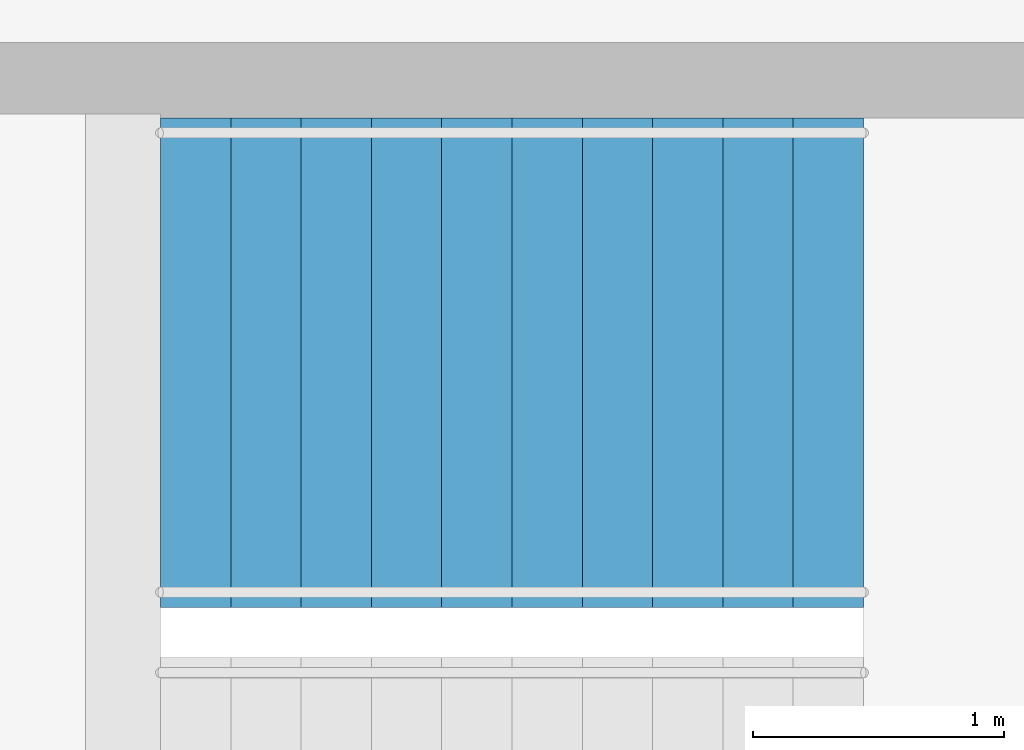
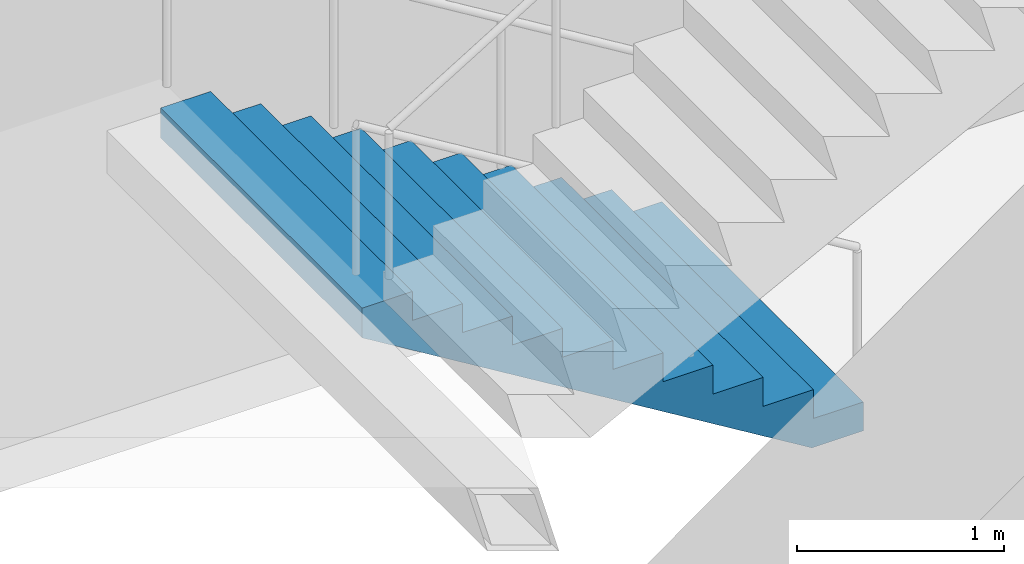
# One storey, part 23 of 24: 1 stair flight, 1 element without a shape of its own.
"""IFC4 building model written with IfcOpenShell, lengths in metres."""

from ifc_helpers import new_model, si_unit, direction, frame, origin, place, context, subcontext, project, spatial, triangles, material, type_object, element, aggregate, save


model = new_model("IFC4")

# Units and contexts
model_context = context("Model", 3, precision=1e-05, world=origin(), true_north=direction((0.0, 1.0)))
body_context = subcontext(model_context, "Body", "Model", "MODEL_VIEW")
ifc_project = project(units=[si_unit("LENGTHUNIT", "METRE"), si_unit("AREAUNIT", "SQUARE_METRE"), si_unit("VOLUMEUNIT", "CUBIC_METRE"), si_unit("PLANEANGLEUNIT", "RADIAN"), si_unit("MASSUNIT", "GRAM", prefix="KILO")], contexts=[model_context])

# Site, building, storey
site_placement = place(None, origin())
site = spatial("IfcSite", under=ifc_project, at=site_placement, CompositionType="ELEMENT")
building_placement = place(site_placement, origin())
building = spatial("IfcBuilding", under=site, at=building_placement, Name="Orbita Commons", CompositionType="ELEMENT")
storey_placement = place(building_placement, frame((0.0, 0.0, 235.300048828125)))
storey = spatial("IfcBuildingStorey", under=building, at=storey_placement, Name="L58", CompositionType="ELEMENT", Elevation=235.300048828125)

# Stair, stair flight
ifc_material_1 = material(Name="Precast concrete C40/50", Category="concrete")
stair_type = type_object("IfcStairType", Name="Exit stair S2 2 flights 11 risers 170", PredefinedType="HALF_TURN_STAIR", material=ifc_material_1)
stair_placement = place(storey_placement, origin())
stair = element("IfcStair", 1, at=stair_placement, inside=storey, type_object=stair_type, Name="Exit stair S2 L58", PredefinedType="HALF_TURN_STAIR")
ifc_material_2 = material(Name="Precast concrete C40/50", Category="concrete")
stair_flight_type = type_object("IfcStairFlightType", Name="Stair flight 11 risers 170 x 280", PredefinedType="STRAIGHT", material=ifc_material_2)
stair_flight_placement = place(storey_placement, frame((63.550048828125, 29.27490234375, 0.0), z_axis=(0.0, 0.0, 1.0), x_axis=(-1.0, 0.0, 0.0)))
stair_flight = element("IfcStairFlight", 2, at=stair_flight_placement, type_object=stair_flight_type, Name="S2 flight 1", NumberOfRisers=11, NumberOfTreads=10, PredefinedType="STRAIGHT", RiserHeight=0.170454545, TreadLength=0.28, context=body_context, shape_type="Tessellation", body=[
    triangles([(0.0, 0.974976, 0.0), (0.0, 0.974976, 0.021307), (0.0, 0.81248, 0.021307), (0.0, 0.81248, 0.0), (0.0, 0.649984, 0.021307), (0.0, 0.649984, 0.0), (0.0, 0.487488, 0.021307), (0.0, 0.487488, 0.0), (0.0, 0.324992, 0.021307), (0.0, 0.324992, 0.0), (0.0, 0.162496, 0.021307), (0.0, 0.162496, 0.0), (0.0, 0.0, 0.021307), (0.0, 0.0, 0.0), (0.0, -0.162496, 0.021307), (0.0, -0.162496, 0.0), (0.0, -0.324992, 0.021307), (0.0, -0.324992, 0.0), (0.0, -0.487488, 0.021307), (0.0, -0.487488, 0.0), (0.0, -0.649984, 0.021307), (0.0, -0.649984, 0.0), (0.0, -0.81248, 0.021307), (0.0, -0.81248, 0.0), (0.0, -0.974976, 0.021307), (0.0, -0.974976, 0.0), (0.0, 0.974976, 0.042614), (0.0, 0.81248, 0.042614), (0.0, 0.649984, 0.042614), (0.0, 0.487488, 0.042614), (0.0, 0.324992, 0.042614), (0.0, 0.162496, 0.042614), (0.0, 0.0, 0.042614), (0.0, -0.162496, 0.042614), (0.0, -0.324992, 0.042614), (0.0, -0.487488, 0.042614), (0.0, -0.649984, 0.042614), (0.0, -0.81248, 0.042614), (0.0, -0.974976, 0.042614), (0.0, 0.974976, 0.06392), (0.0, 0.81248, 0.06392), (0.0, 0.649984, 0.06392), (0.0, 0.487488, 0.06392), (0.0, 0.324992, 0.06392), (0.0, 0.162496, 0.06392), (0.0, 0.0, 0.06392), (0.0, -0.162496, 0.06392), (0.0, -0.324992, 0.06392), (0.0, -0.487488, 0.06392), (0.0, -0.649984, 0.06392), (0.0, -0.81248, 0.06392), (0.0, -0.974976, 0.06392), (0.0, 0.974976, 0.085227), (0.0, 0.81248, 0.085227), (0.0, 0.649984, 0.085227), (0.0, 0.487488, 0.085227), (0.0, 0.324992, 0.085227), (0.0, 0.162496, 0.085227), (0.0, 0.0, 0.085227), (0.0, -0.162496, 0.085227), (0.0, -0.324992, 0.085227), (0.0, -0.487488, 0.085227), (0.0, -0.649984, 0.085227), (0.0, -0.81248, 0.085227), (0.0, -0.974976, 0.085227), (0.0, 0.974976, 0.106534), (0.0, 0.81248, 0.106534), (0.0, 0.649984, 0.106534), (0.0, 0.487488, 0.106534), (0.0, 0.324992, 0.106534), (0.0, 0.162496, 0.106534), (0.0, 0.0, 0.106534), (0.0, -0.162496, 0.106534), (0.0, -0.324992, 0.106534), (0.0, -0.487488, 0.106534), (0.0, -0.649984, 0.106534), (0.0, -0.81248, 0.106534), (0.0, -0.974976, 0.106534), (0.0, 0.974976, 0.127841), (0.0, 0.81248, 0.127841), (0.0, 0.649984, 0.127841), (0.0, 0.487488, 0.127841), (0.0, 0.324992, 0.127841), (0.0, 0.162496, 0.127841), (0.0, 0.0, 0.127841), (0.0, -0.162496, 0.127841), (0.0, -0.324992, 0.127841), (0.0, -0.487488, 0.127841), (0.0, -0.649984, 0.127841), (0.0, -0.81248, 0.127841), (0.0, -0.974976, 0.127841), (0.0, 0.974976, 0.149148), (0.0, 0.81248, 0.149148), (0.0, 0.649984, 0.149148), (0.0, 0.487488, 0.149148), (0.0, 0.324992, 0.149148), (0.0, 0.162496, 0.149148), (0.0, 0.0, 0.149148), (0.0, -0.162496, 0.149148), (0.0, -0.324992, 0.149148), (0.0, -0.487488, 0.149148), (0.0, -0.649984, 0.149148), (0.0, -0.81248, 0.149148), (0.0, -0.974976, 0.149148), (0.0, 0.974976, 0.170455), (0.0, 0.81248, 0.170455), (0.0, 0.649984, 0.170455), (0.0, 0.487488, 0.170455), (0.0, 0.324992, 0.170455), (0.0, 0.162496, 0.170455), (0.0, 0.0, 0.170455), (0.0, -0.162496, 0.170455), (0.0, -0.324992, 0.170455), (0.0, -0.487488, 0.170455), (0.0, -0.649984, 0.170455), (0.0, -0.81248, 0.170455), (0.0, -0.974976, 0.170455), (0.28, 0.974976, 0.170455), (0.28, 0.81248, 0.170455), (0.28, 0.649984, 0.170455), (0.28, 0.487488, 0.170455), (0.28, 0.324992, 0.170455), (0.28, 0.162496, 0.170455), (0.28, 0.0, 0.170455), (0.28, -0.162496, 0.170455), (0.28, -0.324992, 0.170455), (0.28, -0.487488, 0.170455), (0.28, -0.649984, 0.170455), (0.28, -0.81248, 0.170455), (0.28, -0.974976, 0.170455), (0.28, 0.974976, 0.340909), (0.28, 0.81248, 0.340909), (0.28, 0.649984, 0.340909), (0.28, 0.487488, 0.340909), (0.28, 0.324992, 0.340909), (0.28, 0.162496, 0.340909), (0.28, 0.0, 0.340909), (0.28, -0.162496, 0.340909), (0.28, -0.324992, 0.340909), (0.28, -0.487488, 0.340909), (0.28, -0.649984, 0.340909), (0.28, -0.81248, 0.340909), (0.28, -0.974976, 0.340909), (0.56, 0.974976, 0.340909), (0.56, 0.81248, 0.340909), (0.56, 0.649984, 0.340909), (0.56, 0.487488, 0.340909), (0.56, 0.324992, 0.340909), (0.56, 0.162496, 0.340909), (0.56, 0.0, 0.340909), (0.56, -0.162496, 0.340909), (0.56, -0.324992, 0.340909), (0.56, -0.487488, 0.340909), (0.56, -0.649984, 0.340909), (0.56, -0.81248, 0.340909), (0.56, -0.974976, 0.340909), (0.56, 0.974976, 0.511364), (0.56, 0.81248, 0.511364), (0.56, 0.649984, 0.511364), (0.56, 0.487488, 0.511364), (0.56, 0.324992, 0.511364), (0.56, 0.162496, 0.511364), (0.56, 0.0, 0.511364), (0.56, -0.162496, 0.511364), (0.56, -0.324992, 0.511364), (0.56, -0.487488, 0.511364), (0.56, -0.649984, 0.511364), (0.56, -0.81248, 0.511364), (0.56, -0.974976, 0.511364), (0.84, 0.974976, 0.511364), (0.84, 0.81248, 0.511364), (0.84, 0.649984, 0.511364), (0.84, 0.487488, 0.511364), (0.84, 0.324992, 0.511364), (0.84, 0.162496, 0.511364), (0.84, 0.0, 0.511364), (0.84, -0.162496, 0.511364), (0.84, -0.324992, 0.511364), (0.84, -0.487488, 0.511364), (0.84, -0.649984, 0.511364), (0.84, -0.81248, 0.511364), (0.84, -0.974976, 0.511364), (0.84, 0.974976, 0.681818), (0.84, 0.81248, 0.681818), (0.84, 0.649984, 0.681818), (0.84, 0.487488, 0.681818), (0.84, 0.324992, 0.681818), (0.84, 0.162496, 0.681818), (0.84, 0.0, 0.681818), (0.84, -0.162496, 0.681818), (0.84, -0.324992, 0.681818), (0.84, -0.487488, 0.681818), (0.84, -0.649984, 0.681818), (0.84, -0.81248, 0.681818), (0.84, -0.974976, 0.681818), (1.12, 0.974976, 0.681818), (1.12, 0.81248, 0.681818), (1.12, 0.649984, 0.681818), (1.12, 0.487488, 0.681818), (1.12, 0.324992, 0.681818), (1.12, 0.162496, 0.681818), (1.12, 0.0, 0.681818), (1.12, -0.162496, 0.681818), (1.12, -0.324992, 0.681818), (1.12, -0.487488, 0.681818), (1.12, -0.649984, 0.681818), (1.12, -0.81248, 0.681818), (1.12, -0.974976, 0.681818), (1.12, 0.974976, 0.852273), (1.12, 0.81248, 0.852273), (1.12, 0.649984, 0.852273), (1.12, 0.487488, 0.852273), (1.12, 0.324992, 0.852273), (1.12, 0.162496, 0.852273), (1.12, 0.0, 0.852273), (1.12, -0.162496, 0.852273), (1.12, -0.324992, 0.852273), (1.12, -0.487488, 0.852273), (1.12, -0.649984, 0.852273), (1.12, -0.81248, 0.852273), (1.12, -0.974976, 0.852273), (1.4, 0.974976, 0.852273), (1.4, 0.81248, 0.852273), (1.4, 0.649984, 0.852273), (1.4, 0.487488, 0.852273), (1.4, 0.324992, 0.852273), (1.4, 0.162496, 0.852273), (1.4, 0.0, 0.852273), (1.4, -0.162496, 0.852273), (1.4, -0.324992, 0.852273), (1.4, -0.487488, 0.852273), (1.4, -0.649984, 0.852273), (1.4, -0.81248, 0.852273), (1.4, -0.974976, 0.852273), (1.4, 0.974976, 1.022727), (1.4, 0.81248, 1.022727), (1.4, 0.649984, 1.022727), (1.4, 0.487488, 1.022727), (1.4, 0.324992, 1.022727), (1.4, 0.162496, 1.022727), (1.4, 0.0, 1.022727), (1.4, -0.162496, 1.022727), (1.4, -0.324992, 1.022727), (1.4, -0.487488, 1.022727), (1.4, -0.649984, 1.022727), (1.4, -0.81248, 1.022727), (1.4, -0.974976, 1.022727), (1.68, 0.974976, 1.022727), (1.68, 0.81248, 1.022727), (1.68, 0.649984, 1.022727), (1.68, 0.487488, 1.022727), (1.68, 0.324992, 1.022727), (1.68, 0.162496, 1.022727), (1.68, 0.0, 1.022727), (1.68, -0.162496, 1.022727), (1.68, -0.324992, 1.022727), (1.68, -0.487488, 1.022727), (1.68, -0.649984, 1.022727), (1.68, -0.81248, 1.022727), (1.68, -0.974976, 1.022727), (1.68, 0.974976, 1.193182), (1.68, 0.81248, 1.193182), (1.68, 0.649984, 1.193182), (1.68, 0.487488, 1.193182), (1.68, 0.324992, 1.193182), (1.68, 0.162496, 1.193182), (1.68, 0.0, 1.193182), (1.68, -0.162496, 1.193182), (1.68, -0.324992, 1.193182), (1.68, -0.487488, 1.193182), (1.68, -0.649984, 1.193182), (1.68, -0.81248, 1.193182), (1.68, -0.974976, 1.193182), (1.96, 0.974976, 1.193182), (1.96, 0.81248, 1.193182), (1.96, 0.649984, 1.193182), (1.96, 0.487488, 1.193182), (1.96, 0.324992, 1.193182), (1.96, 0.162496, 1.193182), (1.96, 0.0, 1.193182), (1.96, -0.162496, 1.193182), (1.96, -0.324992, 1.193182), (1.96, -0.487488, 1.193182), (1.96, -0.649984, 1.193182), (1.96, -0.81248, 1.193182), (1.96, -0.974976, 1.193182), (1.96, 0.974976, 1.363636), (1.96, 0.81248, 1.363636), (1.96, 0.649984, 1.363636), (1.96, 0.487488, 1.363636), (1.96, 0.324992, 1.363636), (1.96, 0.162496, 1.363636), (1.96, 0.0, 1.363636), (1.96, -0.162496, 1.363636), (1.96, -0.324992, 1.363636), (1.96, -0.487488, 1.363636), (1.96, -0.649984, 1.363636), (1.96, -0.81248, 1.363636), (1.96, -0.974976, 1.363636), (2.24, 0.974976, 1.363636), (2.24, 0.81248, 1.363636), (2.24, 0.649984, 1.363636), (2.24, 0.487488, 1.363636), (2.24, 0.324992, 1.363636), (2.24, 0.162496, 1.363636), (2.24, 0.0, 1.363636), (2.24, -0.162496, 1.363636), (2.24, -0.324992, 1.363636), (2.24, -0.487488, 1.363636), (2.24, -0.649984, 1.363636), (2.24, -0.81248, 1.363636), (2.24, -0.974976, 1.363636), (2.24, 0.974976, 1.534091), (2.24, 0.81248, 1.534091), (2.24, 0.649984, 1.534091), (2.24, 0.487488, 1.534091), (2.24, 0.324992, 1.534091), (2.24, 0.162496, 1.534091), (2.24, 0.0, 1.534091), (2.24, -0.162496, 1.534091), (2.24, -0.324992, 1.534091), (2.24, -0.487488, 1.534091), (2.24, -0.649984, 1.534091), (2.24, -0.81248, 1.534091), (2.24, -0.974976, 1.534091), (2.52, 0.974976, 1.534091), (2.52, 0.81248, 1.534091), (2.52, 0.649984, 1.534091), (2.52, 0.487488, 1.534091), (2.52, 0.324992, 1.534091), (2.52, 0.162496, 1.534091), (2.52, 0.0, 1.534091), (2.52, -0.162496, 1.534091), (2.52, -0.324992, 1.534091), (2.52, -0.487488, 1.534091), (2.52, -0.649984, 1.534091), (2.52, -0.81248, 1.534091), (2.52, -0.974976, 1.534091), (2.52, 0.974976, 1.704545), (2.52, 0.81248, 1.704545), (2.52, 0.649984, 1.704545), (2.52, 0.487488, 1.704545), (2.52, 0.324992, 1.704545), (2.52, 0.162496, 1.704545), (2.52, 0.0, 1.704545), (2.52, -0.162496, 1.704545), (2.52, -0.324992, 1.704545), (2.52, -0.487488, 1.704545), (2.52, -0.649984, 1.704545), (2.52, -0.81248, 1.704545), (2.52, -0.974976, 1.704545), (2.8, 0.974976, 1.704545), (2.8, 0.81248, 1.704545), (2.8, 0.649984, 1.704545), (2.8, 0.487488, 1.704545), (2.8, 0.324992, 1.704545), (2.8, 0.162496, 1.704545), (2.8, 0.0, 1.704545), (2.8, -0.162496, 1.704545), (2.8, -0.324992, 1.704545), (2.8, -0.487488, 1.704545), (2.8, -0.649984, 1.704545), (2.8, -0.81248, 1.704545), (2.8, -0.974976, 1.704545), (2.8, 0.974976, 1.682609), (2.8, 0.81248, 1.682609), (2.8, 0.649984, 1.682609), (2.8, 0.487488, 1.682609), (2.8, 0.324992, 1.682609), (2.8, 0.162496, 1.682609), (2.8, 0.0, 1.682609), (2.8, -0.162496, 1.682609), (2.8, -0.324992, 1.682609), (2.8, -0.487488, 1.682609), (2.8, -0.649984, 1.682609), (2.8, -0.81248, 1.682609), (2.8, -0.974976, 1.682609), (2.8, 0.974976, 1.660672), (2.8, 0.81248, 1.660672), (2.8, 0.649984, 1.660672), (2.8, 0.487488, 1.660672), (2.8, 0.324992, 1.660672), (2.8, 0.162496, 1.660672), (2.8, 0.0, 1.660672), (2.8, -0.162496, 1.660672), (2.8, -0.324992, 1.660672), (2.8, -0.487488, 1.660672), (2.8, -0.649984, 1.660672), (2.8, -0.81248, 1.660672), (2.8, -0.974976, 1.660672), (2.8, 0.974976, 1.638735), (2.8, 0.81248, 1.638735), (2.8, 0.649984, 1.638735), (2.8, 0.487488, 1.638735), (2.8, 0.324992, 1.638735), (2.8, 0.162496, 1.638735), (2.8, 0.0, 1.638735), (2.8, -0.162496, 1.638735), (2.8, -0.324992, 1.638735), (2.8, -0.487488, 1.638735), (2.8, -0.649984, 1.638735), (2.8, -0.81248, 1.638735), (2.8, -0.974976, 1.638735), (2.8, 0.974976, 1.616798), (2.8, 0.81248, 1.616798), (2.8, 0.649984, 1.616798), (2.8, 0.487488, 1.616798), (2.8, 0.324992, 1.616798), (2.8, 0.162496, 1.616798), (2.8, 0.0, 1.616798), (2.8, -0.162496, 1.616798), (2.8, -0.324992, 1.616798), (2.8, -0.487488, 1.616798), (2.8, -0.649984, 1.616798), (2.8, -0.81248, 1.616798), (2.8, -0.974976, 1.616798), (2.8, 0.974976, 1.594861), (2.8, 0.81248, 1.594861), (2.8, 0.649984, 1.594861), (2.8, 0.487488, 1.594861), (2.8, 0.324992, 1.594861), (2.8, 0.162496, 1.594861), (2.8, 0.0, 1.594861), (2.8, -0.162496, 1.594861), (2.8, -0.324992, 1.594861), (2.8, -0.487488, 1.594861), (2.8, -0.649984, 1.594861), (2.8, -0.81248, 1.594861), (2.8, -0.974976, 1.594861), (2.8, 0.974976, 1.572925), (2.8, 0.81248, 1.572925), (2.8, 0.649984, 1.572925), (2.8, 0.487488, 1.572925), (2.8, 0.324992, 1.572925), (2.8, 0.162496, 1.572925), (2.8, 0.0, 1.572925), (2.8, -0.162496, 1.572925), (2.8, -0.324992, 1.572925), (2.8, -0.487488, 1.572925), (2.8, -0.649984, 1.572925), (2.8, -0.81248, 1.572925), (2.8, -0.974976, 1.572925), (2.8, 0.974976, 1.550988), (2.8, 0.81248, 1.550988), (2.8, 0.649984, 1.550988), (2.8, 0.487488, 1.550988), (2.8, 0.324992, 1.550988), (2.8, 0.162496, 1.550988), (2.8, 0.0, 1.550988), (2.8, -0.162496, 1.550988), (2.8, -0.324992, 1.550988), (2.8, -0.487488, 1.550988), (2.8, -0.649984, 1.550988), (2.8, -0.81248, 1.550988), (2.8, -0.974976, 1.550988), (2.8, 0.974976, 1.529051), (2.8, 0.81248, 1.529051), (2.8, 0.649984, 1.529051), (2.8, 0.487488, 1.529051), (2.8, 0.324992, 1.529051), (2.8, 0.162496, 1.529051), (2.8, 0.0, 1.529051), (2.8, -0.162496, 1.529051), (2.8, -0.324992, 1.529051), (2.8, -0.487488, 1.529051), (2.8, -0.649984, 1.529051), (2.8, -0.81248, 1.529051), (2.8, -0.974976, 1.529051), (0.288279, 0.974976, 0.0), (0.288279, 0.81248, 0.0), (0.288279, 0.649984, 0.0), (0.288279, 0.487488, 0.0), (0.288279, 0.324992, 0.0), (0.288279, 0.162496, 0.0), (0.288279, 0.0, 0.0), (0.288279, -0.162496, 0.0), (0.288279, -0.324992, 0.0), (0.288279, -0.487488, 0.0), (0.288279, -0.649984, 0.0), (0.288279, -0.81248, 0.0), (0.288279, -0.974976, 0.0)], [[3, 2, 1], [4, 3, 1], [5, 3, 4], [6, 5, 4], [7, 5, 6], [8, 7, 6], [9, 7, 8], [10, 9, 8], [11, 9, 10], [12, 11, 10], [13, 11, 12], [14, 13, 12], [15, 13, 14], [16, 15, 14], [17, 15, 16], [18, 17, 16], [19, 17, 18], [20, 19, 18], [21, 19, 20], [22, 21, 20], [23, 21, 22], [24, 23, 22], [25, 23, 24], [26, 25, 24], [28, 27, 2], [3, 28, 2], [29, 28, 3], [5, 29, 3], [30, 29, 5], [7, 30, 5], [31, 30, 7], [9, 31, 7], [32, 31, 9], [11, 32, 9], [33, 32, 11], [13, 33, 11], [34, 33, 13], [15, 34, 13], [35, 34, 15], [17, 35, 15], [36, 35, 17], [19, 36, 17], [37, 36, 19], [21, 37, 19], [38, 37, 21], [23, 38, 21], [39, 38, 23], [25, 39, 23], [41, 40, 27], [28, 41, 27], [42, 41, 28], [29, 42, 28], [43, 42, 29], [30, 43, 29], [44, 43, 30], [31, 44, 30], [45, 44, 31], [32, 45, 31], [46, 45, 32], [33, 46, 32], [47, 46, 33], [34, 47, 33], [48, 47, 34], [35, 48, 34], [49, 48, 35], [36, 49, 35], [50, 49, 36], [37, 50, 36], [51, 50, 37], [38, 51, 37], [52, 51, 38], [39, 52, 38], [54, 53, 40], [41, 54, 40], [55, 54, 41], [42, 55, 41], [56, 55, 42], [43, 56, 42], [57, 56, 43], [44, 57, 43], [58, 57, 44], [45, 58, 44], [59, 58, 45], [46, 59, 45], [60, 59, 46], [47, 60, 46], [61, 60, 47], [48, 61, 47], [62, 61, 48], [49, 62, 48], [63, 62, 49], [50, 63, 49], [64, 63, 50], [51, 64, 50], [65, 64, 51], [52, 65, 51], [67, 66, 53], [54, 67, 53], [68, 67, 54], [55, 68, 54], [69, 68, 55], [56, 69, 55], [70, 69, 56], [57, 70, 56], [71, 70, 57], [58, 71, 57], [72, 71, 58], [59, 72, 58], [73, 72, 59], [60, 73, 59], [74, 73, 60], [61, 74, 60], [75, 74, 61], [62, 75, 61], [76, 75, 62], [63, 76, 62], [77, 76, 63], [64, 77, 63], [78, 77, 64], [65, 78, 64], [80, 79, 66], [67, 80, 66], [81, 80, 67], [68, 81, 67], [82, 81, 68], [69, 82, 68], [83, 82, 69], [70, 83, 69], [84, 83, 70], [71, 84, 70], [85, 84, 71], [72, 85, 71], [86, 85, 72], [73, 86, 72], [87, 86, 73], [74, 87, 73], [88, 87, 74], [75, 88, 74], [89, 88, 75], [76, 89, 75], [90, 89, 76], [77, 90, 76], [91, 90, 77], [78, 91, 77], [93, 92, 79], [80, 93, 79], [94, 93, 80], [81, 94, 80], [95, 94, 81], [82, 95, 81], [96, 95, 82], [83, 96, 82], [97, 96, 83], [84, 97, 83], [98, 97, 84], [85, 98, 84], [99, 98, 85], [86, 99, 85], [100, 99, 86], [87, 100, 86], [101, 100, 87], [88, 101, 87], [102, 101, 88], [89, 102, 88], [103, 102, 89], [90, 103, 89], [104, 103, 90], [91, 104, 90], [106, 105, 92], [93, 106, 92], [107, 106, 93], [94, 107, 93], [108, 107, 94], [95, 108, 94], [109, 108, 95], [96, 109, 95], [110, 109, 96], [97, 110, 96], [111, 110, 97], [98, 111, 97], [112, 111, 98], [99, 112, 98], [113, 112, 99], [100, 113, 99], [114, 113, 100], [101, 114, 100], [115, 114, 101], [102, 115, 101], [116, 115, 102], [103, 116, 102], [117, 116, 103], [104, 117, 103], [119, 118, 105], [106, 119, 105], [120, 119, 106], [107, 120, 106], [121, 120, 107], [108, 121, 107], [122, 121, 108], [109, 122, 108], [123, 122, 109], [110, 123, 109], [124, 123, 110], [111, 124, 110], [125, 124, 111], [112, 125, 111], [126, 125, 112], [113, 126, 112], [127, 126, 113], [114, 127, 113], [128, 127, 114], [115, 128, 114], [129, 128, 115], [116, 129, 115], [130, 129, 116], [117, 130, 116], [132, 131, 118], [119, 132, 118], [133, 132, 119], [120, 133, 119], [134, 133, 120], [121, 134, 120], [135, 134, 121], [122, 135, 121], [136, 135, 122], [123, 136, 122], [137, 136, 123], [124, 137, 123], [138, 137, 124], [125, 138, 124], [139, 138, 125], [126, 139, 125], [140, 139, 126], [127, 140, 126], [141, 140, 127], [128, 141, 127], [142, 141, 128], [129, 142, 128], [143, 142, 129], [130, 143, 129], [145, 144, 131], [132, 145, 131], [146, 145, 132], [133, 146, 132], [147, 146, 133], [134, 147, 133], [148, 147, 134], [135, 148, 134], [149, 148, 135], [136, 149, 135], [150, 149, 136], [137, 150, 136], [151, 150, 137], [138, 151, 137], [152, 151, 138], [139, 152, 138], [153, 152, 139], [140, 153, 139], [154, 153, 140], [141, 154, 140], [155, 154, 141], [142, 155, 141], [156, 155, 142], [143, 156, 142], [158, 157, 144], [145, 158, 144], [159, 158, 145], [146, 159, 145], [160, 159, 146], [147, 160, 146], [161, 160, 147], [148, 161, 147], [162, 161, 148], [149, 162, 148], [163, 162, 149], [150, 163, 149], [164, 163, 150], [151, 164, 150], [165, 164, 151], [152, 165, 151], [166, 165, 152], [153, 166, 152], [167, 166, 153], [154, 167, 153], [168, 167, 154], [155, 168, 154], [169, 168, 155], [156, 169, 155], [171, 170, 157], [158, 171, 157], [172, 171, 158], [159, 172, 158], [173, 172, 159], [160, 173, 159], [174, 173, 160], [161, 174, 160], [175, 174, 161], [162, 175, 161], [176, 175, 162], [163, 176, 162], [177, 176, 163], [164, 177, 163], [178, 177, 164], [165, 178, 164], [179, 178, 165], [166, 179, 165], [180, 179, 166], [167, 180, 166], [181, 180, 167], [168, 181, 167], [182, 181, 168], [169, 182, 168], [184, 183, 170], [171, 184, 170], [185, 184, 171], [172, 185, 171], [186, 185, 172], [173, 186, 172], [187, 186, 173], [174, 187, 173], [188, 187, 174], [175, 188, 174], [189, 188, 175], [176, 189, 175], [190, 189, 176], [177, 190, 176], [191, 190, 177], [178, 191, 177], [192, 191, 178], [179, 192, 178], [193, 192, 179], [180, 193, 179], [194, 193, 180], [181, 194, 180], [195, 194, 181], [182, 195, 181], [197, 196, 183], [184, 197, 183], [198, 197, 184], [185, 198, 184], [199, 198, 185], [186, 199, 185], [200, 199, 186], [187, 200, 186], [201, 200, 187], [188, 201, 187], [202, 201, 188], [189, 202, 188], [203, 202, 189], [190, 203, 189], [204, 203, 190], [191, 204, 190], [205, 204, 191], [192, 205, 191], [206, 205, 192], [193, 206, 192], [207, 206, 193], [194, 207, 193], [208, 207, 194], [195, 208, 194], [210, 209, 196], [197, 210, 196], [211, 210, 197], [198, 211, 197], [212, 211, 198], [199, 212, 198], [213, 212, 199], [200, 213, 199], [214, 213, 200], [201, 214, 200], [215, 214, 201], [202, 215, 201], [216, 215, 202], [203, 216, 202], [217, 216, 203], [204, 217, 203], [218, 217, 204], [205, 218, 204], [219, 218, 205], [206, 219, 205], [220, 219, 206], [207, 220, 206], [221, 220, 207], [208, 221, 207], [223, 222, 209], [210, 223, 209], [224, 223, 210], [211, 224, 210], [225, 224, 211], [212, 225, 211], [226, 225, 212], [213, 226, 212], [227, 226, 213], [214, 227, 213], [228, 227, 214], [215, 228, 214], [229, 228, 215], [216, 229, 215], [230, 229, 216], [217, 230, 216], [231, 230, 217], [218, 231, 217], [232, 231, 218], [219, 232, 218], [233, 232, 219], [220, 233, 219], [234, 233, 220], [221, 234, 220], [236, 235, 222], [223, 236, 222], [237, 236, 223], [224, 237, 223], [238, 237, 224], [225, 238, 224], [239, 238, 225], [226, 239, 225], [240, 239, 226], [227, 240, 226], [241, 240, 227], [228, 241, 227], [242, 241, 228], [229, 242, 228], [243, 242, 229], [230, 243, 229], [244, 243, 230], [231, 244, 230], [245, 244, 231], [232, 245, 231], [246, 245, 232], [233, 246, 232], [247, 246, 233], [234, 247, 233], [249, 248, 235], [236, 249, 235], [250, 249, 236], [237, 250, 236], [251, 250, 237], [238, 251, 237], [252, 251, 238], [239, 252, 238], [253, 252, 239], [240, 253, 239], [254, 253, 240], [241, 254, 240], [255, 254, 241], [242, 255, 241], [256, 255, 242], [243, 256, 242], [257, 256, 243], [244, 257, 243], [258, 257, 244], [245, 258, 244], [259, 258, 245], [246, 259, 245], [260, 259, 246], [247, 260, 246], [262, 261, 248], [249, 262, 248], [263, 262, 249], [250, 263, 249], [264, 263, 250], [251, 264, 250], [265, 264, 251], [252, 265, 251], [266, 265, 252], [253, 266, 252], [267, 266, 253], [254, 267, 253], [268, 267, 254], [255, 268, 254], [269, 268, 255], [256, 269, 255], [270, 269, 256], [257, 270, 256], [271, 270, 257], [258, 271, 257], [272, 271, 258], [259, 272, 258], [273, 272, 259], [260, 273, 259], [275, 274, 261], [262, 275, 261], [276, 275, 262], [263, 276, 262], [277, 276, 263], [264, 277, 263], [278, 277, 264], [265, 278, 264], [279, 278, 265], [266, 279, 265], [280, 279, 266], [267, 280, 266], [281, 280, 267], [268, 281, 267], [282, 281, 268], [269, 282, 268], [283, 282, 269], [270, 283, 269], [284, 283, 270], [271, 284, 270], [285, 284, 271], [272, 285, 271], [286, 285, 272], [273, 286, 272], [288, 287, 274], [275, 288, 274], [289, 288, 275], [276, 289, 275], [290, 289, 276], [277, 290, 276], [291, 290, 277], [278, 291, 277], [292, 291, 278], [279, 292, 278], [293, 292, 279], [280, 293, 279], [294, 293, 280], [281, 294, 280], [295, 294, 281], [282, 295, 281], [296, 295, 282], [283, 296, 282], [297, 296, 283], [284, 297, 283], [298, 297, 284], [285, 298, 284], [299, 298, 285], [286, 299, 285], [301, 300, 287], [288, 301, 287], [302, 301, 288], [289, 302, 288], [303, 302, 289], [290, 303, 289], [304, 303, 290], [291, 304, 290], [305, 304, 291], [292, 305, 291], [306, 305, 292], [293, 306, 292], [307, 306, 293], [294, 307, 293], [308, 307, 294], [295, 308, 294], [309, 308, 295], [296, 309, 295], [310, 309, 296], [297, 310, 296], [311, 310, 297], [298, 311, 297], [312, 311, 298], [299, 312, 298], [314, 313, 300], [301, 314, 300], [315, 314, 301], [302, 315, 301], [316, 315, 302], [303, 316, 302], [317, 316, 303], [304, 317, 303], [318, 317, 304], [305, 318, 304], [319, 318, 305], [306, 319, 305], [320, 319, 306], [307, 320, 306], [321, 320, 307], [308, 321, 307], [322, 321, 308], [309, 322, 308], [323, 322, 309], [310, 323, 309], [324, 323, 310], [311, 324, 310], [325, 324, 311], [312, 325, 311], [327, 326, 313], [314, 327, 313], [328, 327, 314], [315, 328, 314], [329, 328, 315], [316, 329, 315], [330, 329, 316], [317, 330, 316], [331, 330, 317], [318, 331, 317], [332, 331, 318], [319, 332, 318], [333, 332, 319], [320, 333, 319], [334, 333, 320], [321, 334, 320], [335, 334, 321], [322, 335, 321], [336, 335, 322], [323, 336, 322], [337, 336, 323], [324, 337, 323], [338, 337, 324], [325, 338, 324], [340, 339, 326], [327, 340, 326], [341, 340, 327], [328, 341, 327], [342, 341, 328], [329, 342, 328], [343, 342, 329], [330, 343, 329], [344, 343, 330], [331, 344, 330], [345, 344, 331], [332, 345, 331], [346, 345, 332], [333, 346, 332], [347, 346, 333], [334, 347, 333], [348, 347, 334], [335, 348, 334], [349, 348, 335], [336, 349, 335], [350, 349, 336], [337, 350, 336], [351, 350, 337], [338, 351, 337], [353, 352, 339], [340, 353, 339], [354, 353, 340], [341, 354, 340], [355, 354, 341], [342, 355, 341], [356, 355, 342], [343, 356, 342], [357, 356, 343], [344, 357, 343], [358, 357, 344], [345, 358, 344], [359, 358, 345], [346, 359, 345], [360, 359, 346], [347, 360, 346], [361, 360, 347], [348, 361, 347], [362, 361, 348], [349, 362, 348], [363, 362, 349], [350, 363, 349], [364, 363, 350], [351, 364, 350], [366, 365, 352], [353, 366, 352], [367, 366, 353], [354, 367, 353], [368, 367, 354], [355, 368, 354], [369, 368, 355], [356, 369, 355], [370, 369, 356], [357, 370, 356], [371, 370, 357], [358, 371, 357], [372, 371, 358], [359, 372, 358], [373, 372, 359], [360, 373, 359], [374, 373, 360], [361, 374, 360], [375, 374, 361], [362, 375, 361], [376, 375, 362], [363, 376, 362], [377, 376, 363], [364, 377, 363], [379, 378, 365], [366, 379, 365], [380, 379, 366], [367, 380, 366], [381, 380, 367], [368, 381, 367], [382, 381, 368], [369, 382, 368], [383, 382, 369], [370, 383, 369], [384, 383, 370], [371, 384, 370], [385, 384, 371], [372, 385, 371], [386, 385, 372], [373, 386, 372], [387, 386, 373], [374, 387, 373], [388, 387, 374], [375, 388, 374], [389, 388, 375], [376, 389, 375], [390, 389, 376], [377, 390, 376], [392, 391, 378], [379, 392, 378], [393, 392, 379], [380, 393, 379], [394, 393, 380], [381, 394, 380], [395, 394, 381], [382, 395, 381], [396, 395, 382], [383, 396, 382], [397, 396, 383], [384, 397, 383], [398, 397, 384], [385, 398, 384], [399, 398, 385], [386, 399, 385], [400, 399, 386], [387, 400, 386], [401, 400, 387], [388, 401, 387], [402, 401, 388], [389, 402, 388], [403, 402, 389], [390, 403, 389], [405, 404, 391], [392, 405, 391], [406, 405, 392], [393, 406, 392], [407, 406, 393], [394, 407, 393], [408, 407, 394], [395, 408, 394], [409, 408, 395], [396, 409, 395], [410, 409, 396], [397, 410, 396], [411, 410, 397], [398, 411, 397], [412, 411, 398], [399, 412, 398], [413, 412, 399], [400, 413, 399], [414, 413, 400], [401, 414, 400], [415, 414, 401], [402, 415, 401], [416, 415, 402], [403, 416, 402], [418, 417, 404], [405, 418, 404], [419, 418, 405], [406, 419, 405], [420, 419, 406], [407, 420, 406], [421, 420, 407], [408, 421, 407], [422, 421, 408], [409, 422, 408], [423, 422, 409], [410, 423, 409], [424, 423, 410], [411, 424, 410], [425, 424, 411], [412, 425, 411], [426, 425, 412], [413, 426, 412], [427, 426, 413], [414, 427, 413], [428, 427, 414], [415, 428, 414], [429, 428, 415], [416, 429, 415], [431, 430, 417], [418, 431, 417], [432, 431, 418], [419, 432, 418], [433, 432, 419], [420, 433, 419], [434, 433, 420], [421, 434, 420], [435, 434, 421], [422, 435, 421], [436, 435, 422], [423, 436, 422], [437, 436, 423], [424, 437, 423], [438, 437, 424], [425, 438, 424], [439, 438, 425], [426, 439, 425], [440, 439, 426], [427, 440, 426], [441, 440, 427], [428, 441, 427], [442, 441, 428], [429, 442, 428], [444, 443, 430], [431, 444, 430], [445, 444, 431], [432, 445, 431], [446, 445, 432], [433, 446, 432], [447, 446, 433], [434, 447, 433], [448, 447, 434], [435, 448, 434], [449, 448, 435], [436, 449, 435], [450, 449, 436], [437, 450, 436], [451, 450, 437], [438, 451, 437], [452, 451, 438], [439, 452, 438], [453, 452, 439], [440, 453, 439], [454, 453, 440], [441, 454, 440], [455, 454, 441], [442, 455, 441], [457, 456, 443], [444, 457, 443], [458, 457, 444], [445, 458, 444], [459, 458, 445], [446, 459, 445], [460, 459, 446], [447, 460, 446], [461, 460, 447], [448, 461, 447], [462, 461, 448], [449, 462, 448], [463, 462, 449], [450, 463, 449], [464, 463, 450], [451, 464, 450], [465, 464, 451], [452, 465, 451], [466, 465, 452], [453, 466, 452], [467, 466, 453], [454, 467, 453], [468, 467, 454], [455, 468, 454], [470, 469, 456], [457, 470, 456], [471, 470, 457], [458, 471, 457], [472, 471, 458], [459, 472, 458], [473, 472, 459], [460, 473, 459], [474, 473, 460], [461, 474, 460], [475, 474, 461], [462, 475, 461], [476, 475, 462], [463, 476, 462], [477, 476, 463], [464, 477, 463], [478, 477, 464], [465, 478, 464], [479, 478, 465], [466, 479, 465], [480, 479, 466], [467, 480, 466], [481, 480, 467], [468, 481, 467], [4, 1, 469], [470, 4, 469], [6, 4, 470], [471, 6, 470], [8, 6, 471], [472, 8, 471], [10, 8, 472], [473, 10, 472], [12, 10, 473], [474, 12, 473], [14, 12, 474], [475, 14, 474], [16, 14, 475], [476, 16, 475], [18, 16, 476], [477, 18, 476], [20, 18, 477], [478, 20, 477], [22, 20, 478], [479, 22, 478], [24, 22, 479], [480, 24, 479], [26, 24, 480], [481, 26, 480], [456, 469, 1], [26, 481, 468], [443, 456, 1], [26, 468, 455], [430, 443, 1], [26, 455, 442], [417, 430, 1], [26, 442, 429], [404, 417, 1], [26, 429, 416], [391, 404, 1], [26, 416, 403], [378, 391, 1], [26, 403, 390], [365, 378, 1], [26, 390, 377], [339, 352, 365], [377, 364, 351], [326, 339, 365], [377, 351, 338], [300, 313, 326], [338, 325, 312], [300, 326, 365], [377, 338, 312], [274, 287, 300], [312, 299, 286], [274, 300, 365], [377, 312, 286], [248, 261, 274], [286, 273, 260], [248, 274, 365], [377, 286, 260], [222, 235, 248], [260, 247, 234], [222, 248, 365], [377, 260, 234], [196, 209, 222], [234, 221, 208], [196, 222, 365], [377, 234, 208], [170, 183, 196], [208, 195, 182], [170, 196, 365], [377, 208, 182], [144, 157, 170], [182, 169, 156], [144, 170, 365], [377, 182, 156], [118, 131, 144], [156, 143, 130], [118, 144, 365], [377, 156, 130], [118, 365, 1], [26, 377, 130], [92, 105, 118], [130, 117, 104], [79, 92, 118], [130, 104, 91], [66, 79, 118], [130, 91, 78], [53, 66, 118], [130, 78, 65], [40, 53, 118], [130, 65, 52], [27, 40, 118], [130, 52, 39], [2, 27, 118], [130, 39, 25], [1, 2, 118], [130, 25, 26]], closed=True),
])
aggregate(stair, [stair_flight])

save(model, "model.ifc")
